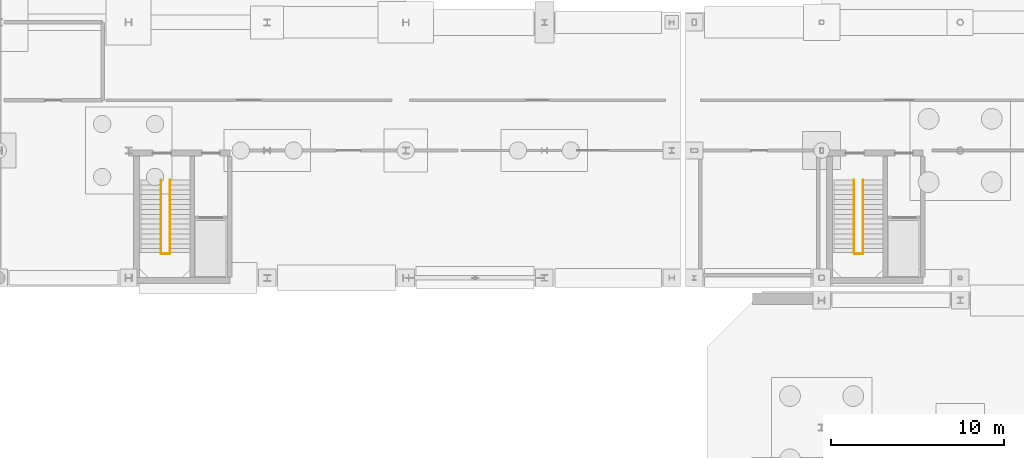
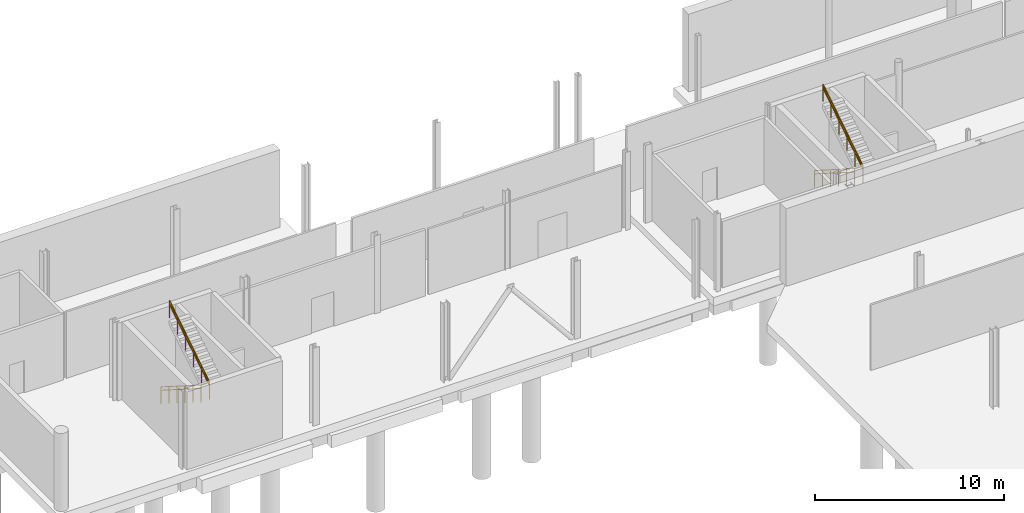
# One storey, part 31 of 33: 10 railings.
"""IFC4 building model written with IfcOpenShell, lengths in metres."""

from ifc_helpers import new_model, si_unit, direction, frame, origin, origin_2d, place, context, subcontext, project, spatial, circle, extrude, material, type_object, element, save


model = new_model("IFC4")

# Units and contexts
model_context = context("Model", 3, precision=1e-05, world=origin(), true_north=direction((0.0, 1.0)))
body_context = subcontext(model_context, "Body", "Model", "MODEL_VIEW")
ifc_project = project(units=[si_unit("LENGTHUNIT", "METRE"), si_unit("AREAUNIT", "SQUARE_METRE"), si_unit("VOLUMEUNIT", "CUBIC_METRE"), si_unit("PLANEANGLEUNIT", "RADIAN"), si_unit("MASSUNIT", "GRAM", prefix="KILO")], contexts=[model_context])

# Site, building, storey
site_placement = place(None, origin())
site = spatial("IfcSite", under=ifc_project, at=site_placement, CompositionType="ELEMENT")
building_placement = place(site_placement, origin())
building = spatial("IfcBuilding", under=site, at=building_placement, Name="Brisemont Oceanarium", CompositionType="ELEMENT")
storey_placement = place(building_placement, frame((0.0, 0.0, -5.39990234375)))
storey = spatial("IfcBuildingStorey", under=building, at=storey_placement, Name="B01", CompositionType="ELEMENT", Elevation=-5.39990234375)

# Railings
ifc_material_1 = material(Name="Duplex Stainless Steel EN 1.4462", Category="steel")
railing_type_1 = type_object("IfcRailingType", Name="RLG-GUARD-1120", PredefinedType="GUARDRAIL", material=ifc_material_1)
railing_1_placement = place(storey_placement, frame((65.8701171875, 86.300048828125, 0.0)))
element("IfcRailing", 1, at=railing_1_placement, inside=storey, type_object=railing_type_1, Name="ST-08 B01 F1 well guard", PredefinedType="GUARDRAIL", context=body_context, shape_type="SweptSolid", body=[
    extrude(circle(Radius=0.02392578125, at=origin_2d()), frame((0.0, 0.0, 1.09619140625), z_axis=(0.0, -0.84407452441, 0.536225882666), x_axis=(1.0, 0.0, 0.0)), (0.0, 0.0, 1.0), 5.03515625),
    extrude(circle(Radius=0.02099609375, at=origin_2d()), origin(), (0.0, 0.0, 1.0), 1.072021484375),
    extrude(circle(Radius=0.02099609375, at=origin_2d()), frame((0.0, -0.85009765625, 0.5400390625)), (0.0, 0.0, 1.0), 1.072021484375),
    extrude(circle(Radius=0.02099609375, at=origin_2d()), frame((0.0, -1.699951171875, 1.080078125)), (0.0, 0.0, 1.0), 1.072021484375),
    extrude(circle(Radius=0.02099609375, at=origin_2d()), frame((0.0, -2.550048828125, 1.619873046875)), (0.0, 0.0, 1.0), 1.072021484375),
    extrude(circle(Radius=0.02099609375, at=origin_2d()), frame((0.0, -3.39990234375, 2.159912109375)), (0.0, 0.0, 1.0), 1.072021484375),
    extrude(circle(Radius=0.02099609375, at=origin_2d()), frame((0.0, -4.25, 2.699951171875)), (0.0, 0.0, 1.0), 1.072021484375),
])
railing_2_placement = place(storey_placement, frame((66.389892578125, 82.050048828125, 2.699951171875)))
element("IfcRailing", 2, at=railing_2_placement, inside=storey, type_object=railing_type_1, Name="ST-08 B01 F2 well guard", PredefinedType="GUARDRAIL", context=body_context, shape_type="SweptSolid", body=[
    extrude(circle(Radius=0.02392578125, at=origin_2d()), frame((0.0, 0.0, 1.09619140625), z_axis=(0.0, 0.84407452441, 0.536225882666), x_axis=(-1.0, 0.0, 0.0)), (0.0, 0.0, 1.0), 5.03515625),
    extrude(circle(Radius=0.02099609375, at=origin_2d()), origin(), (0.0, 0.0, 1.0), 1.072021484375),
    extrude(circle(Radius=0.02099609375, at=origin_2d()), frame((0.0, 0.85009765625, 0.5400390625)), (0.0, 0.0, 1.0), 1.072021484375),
    extrude(circle(Radius=0.02099609375, at=origin_2d()), frame((0.0, 1.699951171875, 1.080078125)), (0.0, 0.0, 1.0), 1.072021484375),
    extrude(circle(Radius=0.02099609375, at=origin_2d()), frame((0.0, 2.550048828125, 1.619873046875)), (0.0, 0.0, 1.0), 1.072021484375),
    extrude(circle(Radius=0.02099609375, at=origin_2d()), frame((0.0, 3.39990234375, 2.159912109375)), (0.0, 0.0, 1.0), 1.072021484375),
    extrude(circle(Radius=0.02099609375, at=origin_2d()), frame((0.0, 4.25, 2.699951171875)), (0.0, 0.0, 1.0), 1.072021484375),
])
railing_3_placement = place(storey_placement, frame((65.8701171875, 82.050048828125, 2.699951171875)))
element("IfcRailing", 3, at=railing_3_placement, inside=storey, type_object=railing_type_1, Name="ST-08 B01 landing slot guard", PredefinedType="GUARDRAIL", context=body_context, shape_type="SweptSolid", body=[
    extrude(circle(Radius=0.02392578125, at=origin_2d()), frame((0.0, 0.0, 1.09619140625), z_axis=(1.0, 0.0, 0.0), x_axis=(0.0, 1.0, 0.0)), (0.0, 0.0, 1.0), 0.519775390625),
    extrude(circle(Radius=0.02099609375, at=origin_2d()), origin(), (0.0, 0.0, 1.0), 1.072021484375),
    extrude(circle(Radius=0.02099609375, at=origin_2d()), frame((0.519775390625, 0.0, 0.0)), (0.0, 0.0, 1.0), 1.072021484375),
])
railing_4_placement = place(storey_placement, frame((25.8701171875, 86.300048828125, 0.0)))
element("IfcRailing", 4, at=railing_4_placement, inside=storey, type_object=railing_type_1, Name="ST-09 B01 F1 well guard", PredefinedType="GUARDRAIL", context=body_context, shape_type="SweptSolid", body=[
    extrude(circle(Radius=0.02392578125, at=origin_2d()), frame((0.0, 0.0, 1.09619140625), z_axis=(0.0, -0.84407452441, 0.536225882666), x_axis=(1.0, 0.0, 0.0)), (0.0, 0.0, 1.0), 5.03515625),
    extrude(circle(Radius=0.02099609375, at=origin_2d()), origin(), (0.0, 0.0, 1.0), 1.072021484375),
    extrude(circle(Radius=0.02099609375, at=origin_2d()), frame((0.0, -0.85009765625, 0.5400390625)), (0.0, 0.0, 1.0), 1.072021484375),
    extrude(circle(Radius=0.02099609375, at=origin_2d()), frame((0.0, -1.699951171875, 1.080078125)), (0.0, 0.0, 1.0), 1.072021484375),
    extrude(circle(Radius=0.02099609375, at=origin_2d()), frame((0.0, -2.550048828125, 1.619873046875)), (0.0, 0.0, 1.0), 1.072021484375),
    extrude(circle(Radius=0.02099609375, at=origin_2d()), frame((0.0, -3.39990234375, 2.159912109375)), (0.0, 0.0, 1.0), 1.072021484375),
    extrude(circle(Radius=0.02099609375, at=origin_2d()), frame((0.0, -4.25, 2.699951171875)), (0.0, 0.0, 1.0), 1.072021484375),
])
railing_5_placement = place(storey_placement, frame((26.389892578125, 82.050048828125, 2.699951171875)))
element("IfcRailing", 5, at=railing_5_placement, inside=storey, type_object=railing_type_1, Name="ST-09 B01 F2 well guard", PredefinedType="GUARDRAIL", context=body_context, shape_type="SweptSolid", body=[
    extrude(circle(Radius=0.02392578125, at=origin_2d()), frame((0.0, 0.0, 1.09619140625), z_axis=(0.0, 0.84407452441, 0.536225882666), x_axis=(-1.0, 0.0, 0.0)), (0.0, 0.0, 1.0), 5.03515625),
    extrude(circle(Radius=0.02099609375, at=origin_2d()), origin(), (0.0, 0.0, 1.0), 1.072021484375),
    extrude(circle(Radius=0.02099609375, at=origin_2d()), frame((0.0, 0.85009765625, 0.5400390625)), (0.0, 0.0, 1.0), 1.072021484375),
    extrude(circle(Radius=0.02099609375, at=origin_2d()), frame((0.0, 1.699951171875, 1.080078125)), (0.0, 0.0, 1.0), 1.072021484375),
    extrude(circle(Radius=0.02099609375, at=origin_2d()), frame((0.0, 2.550048828125, 1.619873046875)), (0.0, 0.0, 1.0), 1.072021484375),
    extrude(circle(Radius=0.02099609375, at=origin_2d()), frame((0.0, 3.39990234375, 2.159912109375)), (0.0, 0.0, 1.0), 1.072021484375),
    extrude(circle(Radius=0.02099609375, at=origin_2d()), frame((0.0, 4.25, 2.699951171875)), (0.0, 0.0, 1.0), 1.072021484375),
])
railing_6_placement = place(storey_placement, frame((25.8701171875, 82.050048828125, 2.699951171875)))
element("IfcRailing", 6, at=railing_6_placement, inside=storey, type_object=railing_type_1, Name="ST-09 B01 landing slot guard", PredefinedType="GUARDRAIL", context=body_context, shape_type="SweptSolid", body=[
    extrude(circle(Radius=0.02392578125, at=origin_2d()), frame((0.0, 0.0, 1.09619140625), z_axis=(1.0, 0.0, 0.0), x_axis=(0.0, 1.0, 0.0)), (0.0, 0.0, 1.0), 0.519775390625),
    extrude(circle(Radius=0.02099609375, at=origin_2d()), origin(), (0.0, 0.0, 1.0), 1.072021484375),
    extrude(circle(Radius=0.02099609375, at=origin_2d()), frame((0.519775390625, 0.0, 0.0)), (0.0, 0.0, 1.0), 1.072021484375),
])
ifc_material_2 = material(Name="Duplex Stainless Steel EN 1.4462", Category="steel")
railing_type_2 = type_object("IfcRailingType", Name="RLG-HAND-900", PredefinedType="HANDRAIL", material=ifc_material_2)
railing_7_placement = place(storey_placement, frame((65.8701171875, 86.300048828125, 0.0)))
element("IfcRailing", 7, at=railing_7_placement, inside=storey, type_object=railing_type_2, Name="ST-08 B01 F1 handrail", PredefinedType="HANDRAIL", context=body_context, shape_type="SweptSolid", body=[
    extrude(circle(Radius=0.02392578125, at=origin_2d()), frame((0.0, 0.0, 0.8759765625), z_axis=(0.0, -0.84407452441, 0.536225882666), x_axis=(1.0, 0.0, 0.0)), (0.0, 0.0, 1.0), 5.03515625),
    extrude(circle(Radius=0.02099609375, at=origin_2d()), origin(), (0.0, 0.0, 1.0), 0.851806640625),
    extrude(circle(Radius=0.02099609375, at=origin_2d()), frame((0.0, -0.85009765625, 0.5400390625)), (0.0, 0.0, 1.0), 0.851806640625),
    extrude(circle(Radius=0.02099609375, at=origin_2d()), frame((0.0, -1.699951171875, 1.080078125)), (0.0, 0.0, 1.0), 0.851806640625),
    extrude(circle(Radius=0.02099609375, at=origin_2d()), frame((0.0, -2.550048828125, 1.619873046875)), (0.0, 0.0, 1.0), 0.851806640625),
    extrude(circle(Radius=0.02099609375, at=origin_2d()), frame((0.0, -3.39990234375, 2.159912109375)), (0.0, 0.0, 1.0), 0.851806640625),
    extrude(circle(Radius=0.02099609375, at=origin_2d()), frame((0.0, -4.25, 2.699951171875)), (0.0, 0.0, 1.0), 0.851806640625),
])
railing_8_placement = place(storey_placement, frame((66.389892578125, 82.050048828125, 2.699951171875)))
element("IfcRailing", 8, at=railing_8_placement, inside=storey, type_object=railing_type_2, Name="ST-08 B01 F2 handrail", PredefinedType="HANDRAIL", context=body_context, shape_type="SweptSolid", body=[
    extrude(circle(Radius=0.02392578125, at=origin_2d()), frame((0.0, 0.0, 0.8759765625), z_axis=(0.0, 0.84407452441, 0.536225882666), x_axis=(-1.0, 0.0, 0.0)), (0.0, 0.0, 1.0), 5.03515625),
    extrude(circle(Radius=0.02099609375, at=origin_2d()), origin(), (0.0, 0.0, 1.0), 0.851806640625),
    extrude(circle(Radius=0.02099609375, at=origin_2d()), frame((0.0, 0.85009765625, 0.5400390625)), (0.0, 0.0, 1.0), 0.851806640625),
    extrude(circle(Radius=0.02099609375, at=origin_2d()), frame((0.0, 1.699951171875, 1.080078125)), (0.0, 0.0, 1.0), 0.851806640625),
    extrude(circle(Radius=0.02099609375, at=origin_2d()), frame((0.0, 2.550048828125, 1.619873046875)), (0.0, 0.0, 1.0), 0.851806640625),
    extrude(circle(Radius=0.02099609375, at=origin_2d()), frame((0.0, 3.39990234375, 2.159912109375)), (0.0, 0.0, 1.0), 0.851806640625),
    extrude(circle(Radius=0.02099609375, at=origin_2d()), frame((0.0, 4.25, 2.699951171875)), (0.0, 0.0, 1.0), 0.851806640625),
])
railing_9_placement = place(storey_placement, frame((25.8701171875, 86.300048828125, 0.0)))
element("IfcRailing", 9, at=railing_9_placement, inside=storey, type_object=railing_type_2, Name="ST-09 B01 F1 handrail", PredefinedType="HANDRAIL", context=body_context, shape_type="SweptSolid", body=[
    extrude(circle(Radius=0.02392578125, at=origin_2d()), frame((0.0, 0.0, 0.8759765625), z_axis=(0.0, -0.84407452441, 0.536225882666), x_axis=(1.0, 0.0, 0.0)), (0.0, 0.0, 1.0), 5.03515625),
    extrude(circle(Radius=0.02099609375, at=origin_2d()), origin(), (0.0, 0.0, 1.0), 0.851806640625),
    extrude(circle(Radius=0.02099609375, at=origin_2d()), frame((0.0, -0.85009765625, 0.5400390625)), (0.0, 0.0, 1.0), 0.851806640625),
    extrude(circle(Radius=0.02099609375, at=origin_2d()), frame((0.0, -1.699951171875, 1.080078125)), (0.0, 0.0, 1.0), 0.851806640625),
    extrude(circle(Radius=0.02099609375, at=origin_2d()), frame((0.0, -2.550048828125, 1.619873046875)), (0.0, 0.0, 1.0), 0.851806640625),
    extrude(circle(Radius=0.02099609375, at=origin_2d()), frame((0.0, -3.39990234375, 2.159912109375)), (0.0, 0.0, 1.0), 0.851806640625),
    extrude(circle(Radius=0.02099609375, at=origin_2d()), frame((0.0, -4.25, 2.699951171875)), (0.0, 0.0, 1.0), 0.851806640625),
])
railing_10_placement = place(storey_placement, frame((26.389892578125, 82.050048828125, 2.699951171875)))
element("IfcRailing", 10, at=railing_10_placement, inside=storey, type_object=railing_type_2, Name="ST-09 B01 F2 handrail", PredefinedType="HANDRAIL", context=body_context, shape_type="SweptSolid", body=[
    extrude(circle(Radius=0.02392578125, at=origin_2d()), frame((0.0, 0.0, 0.8759765625), z_axis=(0.0, 0.84407452441, 0.536225882666), x_axis=(-1.0, 0.0, 0.0)), (0.0, 0.0, 1.0), 5.03515625),
    extrude(circle(Radius=0.02099609375, at=origin_2d()), origin(), (0.0, 0.0, 1.0), 0.851806640625),
    extrude(circle(Radius=0.02099609375, at=origin_2d()), frame((0.0, 0.85009765625, 0.5400390625)), (0.0, 0.0, 1.0), 0.851806640625),
    extrude(circle(Radius=0.02099609375, at=origin_2d()), frame((0.0, 1.699951171875, 1.080078125)), (0.0, 0.0, 1.0), 0.851806640625),
    extrude(circle(Radius=0.02099609375, at=origin_2d()), frame((0.0, 2.550048828125, 1.619873046875)), (0.0, 0.0, 1.0), 0.851806640625),
    extrude(circle(Radius=0.02099609375, at=origin_2d()), frame((0.0, 3.39990234375, 2.159912109375)), (0.0, 0.0, 1.0), 0.851806640625),
    extrude(circle(Radius=0.02099609375, at=origin_2d()), frame((0.0, 4.25, 2.699951171875)), (0.0, 0.0, 1.0), 0.851806640625),
])

save(model, "model.ifc")
